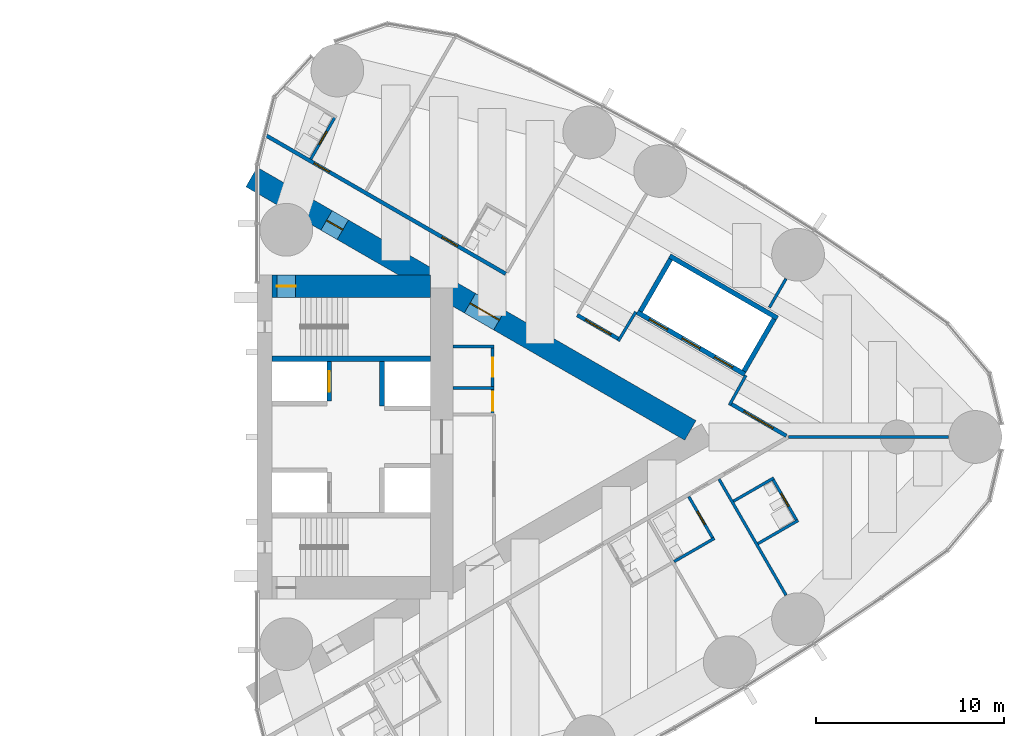
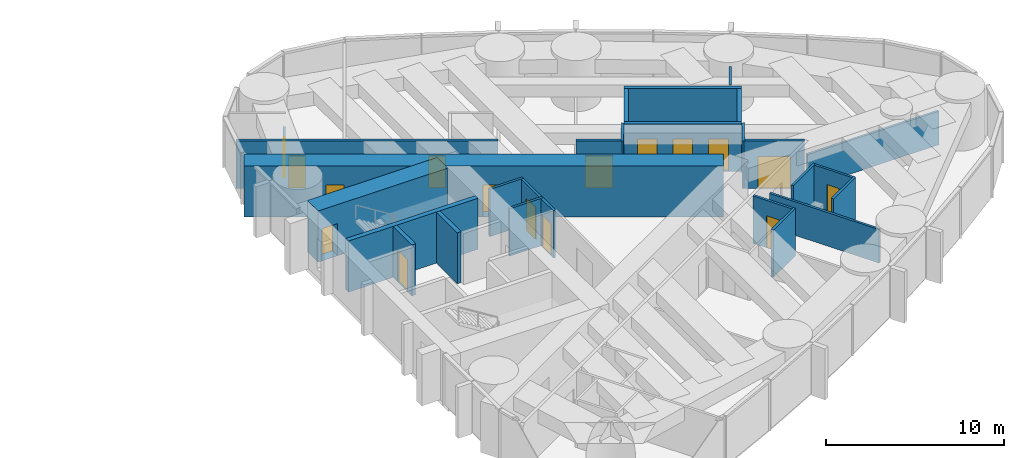
# One storey, part 15 of 19: 27 walls, 16 doors, 16 openings.
"""IFC4 building model written with IfcOpenShell, lengths in metres."""

from ifc_helpers import new_model, si_unit, direction, frame, frame_2d, origin, place, context, subcontext, project, spatial, rectangle, extrude, material, layer, layer_set, type_object, element, fill, save


model = new_model("IFC4")

# Units and contexts
model_context = context("Model", 3, precision=1e-05, world=origin(), true_north=direction((0.0, 1.0)))
body_context = subcontext(model_context, "Body", "Model", "MODEL_VIEW")
ifc_project = project(units=[si_unit("LENGTHUNIT", "METRE"), si_unit("AREAUNIT", "SQUARE_METRE"), si_unit("VOLUMEUNIT", "CUBIC_METRE"), si_unit("PLANEANGLEUNIT", "RADIAN"), si_unit("MASSUNIT", "GRAM", prefix="KILO")], contexts=[model_context])

# Site, building, storey
site_placement = place(None, origin())
site = spatial("IfcSite", under=ifc_project, at=site_placement, CompositionType="ELEMENT")
building_placement = place(site_placement, origin())
building = spatial("IfcBuilding", under=site, at=building_placement, Name="Lancet Gate Hotel", CompositionType="ELEMENT")
storey_placement = place(building_placement, frame((0.0, 0.0, 170.300048828125)))
storey = spatial("IfcBuildingStorey", under=building, at=storey_placement, Name="L45", CompositionType="ELEMENT", Elevation=170.300048828125)

# Wall
ifc_material_1 = material(Name="Moisture resistant board partition")
ifc_layer_1 = layer(ifc_material_1, 0.14990234375)
ifc_layer_set_1 = layer_set([ifc_layer_1], Name="Bathroom wall 150")
wall_type_1 = type_object("IfcWallType", Name="Bathroom wall 150", PredefinedType="PARTITIONING", material=ifc_layer_set_1)
wall_1_placement = place(storey_placement, frame((49.6396484375, -6.617919921875, 0.0), z_axis=(0.0, 0.0, 1.0), x_axis=(0.866006523861, 0.500032699561, 0.0)))
element("IfcWall", 1, at=wall_1_placement, inside=storey, type_object=wall_type_1, Name="T2 bathroom wall 150 L45", PredefinedType="PARTITIONING", context=body_context, shape_type="SweptSolid", body=[
    extrude(rectangle(XDim=2.474853515625, YDim=0.14990234375, at=frame_2d((1.2373046875, 0.0))), origin(), (0.0, 0.0, 1.0), 3.25),
])

# Wall, opening, door
wall_2_placement = place(storey_placement, frame((50.418212890625, -3.166259765625, 0.0), z_axis=(0.0, 0.0, 1.0), x_axis=(0.499936506574, -0.866062058628, 0.0)))
wall_2 = element("IfcWall", 2, at=wall_2_placement, inside=storey, type_object=wall_type_1, Name="T2 bathroom wall 150 L45", PredefinedType="PARTITIONING", context=body_context, shape_type="SweptSolid", body=[
    extrude(rectangle(XDim=2.599853515625, YDim=0.14990234375, at=frame_2d((1.2998046875, 0.0))), origin(), (0.0, 0.0, 1.0), 3.25),
])
opening_1_placement = place(wall_2_placement, frame((0.89990234375, 0.0, 0.0)))
opening_1 = element("IfcOpeningElement", 3, at=opening_1_placement, cuts=wall_2, Name="Opening 4556-B", PredefinedType="OPENING", context=body_context, shape_type="SweptSolid", body=[
    extrude(rectangle(XDim=0.800048828125, YDim=2.199951171875, at=frame_2d((0.39990234375, 1.10009765625))), frame((0.0, 0.0849609375, 0.0), z_axis=(0.0, -1.0, 0.0), x_axis=(1.0, 0.0, 0.0)), (0.0, 0.0, 1.0), 0.169921875),
])
ifc_material_2 = material(Name="Timber door set", Category="wood")
door_type_1 = type_object("IfcDoorType", Name="Bathroom door 800", OperationType="SINGLE_SWING_RIGHT", PredefinedType="DOOR", material=ifc_material_2)
door_1_placement = place(opening_1_placement, origin())
door_1 = element("IfcDoor", 4, at=door_1_placement, inside=storey, type_object=door_type_1, Name="4556-B", OperationType="SINGLE_SWING_RIGHT", OverallHeight=2.199951171875, OverallWidth=0.800048828125, PredefinedType="DOOR", context=body_context, shape_type="SweptSolid", body=[
    extrude(rectangle(XDim=0.800048828125, YDim=2.199951171875, at=frame_2d((0.39990234375, 1.10009765625))), frame((0.0, 0.02490234375, 0.0), z_axis=(0.0, -1.0, 0.0), x_axis=(1.0, 0.0, 0.0)), (0.0, 0.0, 1.0), 0.050048828125),
])
fill(opening_1, door_1)

# Wall
wall_3_placement = place(storey_placement, frame((54.09033203125, -5.6650390625, 0.0), z_axis=(0.0, 0.0, 1.0), x_axis=(0.866006523861, 0.500032699561, 0.0)))
element("IfcWall", 5, at=wall_3_placement, inside=storey, type_object=wall_type_1, Name="T2 bathroom wall 150 L45", PredefinedType="PARTITIONING", context=body_context, shape_type="SweptSolid", body=[
    extrude(rectangle(XDim=2.474853515625, YDim=0.14990234375, at=frame_2d((1.2373046875, 0.0))), origin(), (0.0, 0.0, 1.0), 3.25),
])

# Wall, opening, door
wall_4_placement = place(storey_placement, frame((54.86865234375, -2.21337890625, 0.0), z_axis=(0.0, 0.0, 1.0), x_axis=(0.500047596559, -0.865997922154, 0.0)))
wall_4 = element("IfcWall", 6, at=wall_4_placement, inside=storey, type_object=wall_type_1, Name="T2 bathroom wall 150 L45", PredefinedType="PARTITIONING", context=body_context, shape_type="SweptSolid", body=[
    extrude(rectangle(XDim=2.599853515625, YDim=0.14990234375, at=frame_2d((1.2998046875, 0.0))), origin(), (0.0, 0.0, 1.0), 3.25),
])
opening_2_placement = place(wall_4_placement, frame((0.89990234375, 0.0, 0.0)))
opening_2 = element("IfcOpeningElement", 7, at=opening_2_placement, cuts=wall_4, Name="Opening 4557-B", PredefinedType="OPENING", context=body_context, shape_type="SweptSolid", body=[
    extrude(rectangle(XDim=0.800048828125, YDim=2.199951171875, at=frame_2d((0.39990234375, 1.10009765625))), frame((0.0, 0.0849609375, 0.0), z_axis=(0.0, -1.0, 0.0), x_axis=(1.0, 0.0, 0.0)), (0.0, 0.0, 1.0), 0.169921875),
])
door_2_placement = place(opening_2_placement, origin())
door_2 = element("IfcDoor", 8, at=door_2_placement, inside=storey, type_object=door_type_1, Name="4557-B", OperationType="SINGLE_SWING_RIGHT", OverallHeight=2.199951171875, OverallWidth=0.800048828125, PredefinedType="DOOR", context=body_context, shape_type="SweptSolid", body=[
    extrude(rectangle(XDim=0.800048828125, YDim=2.199951171875, at=frame_2d((0.39990234375, 1.10009765625))), frame((0.0, 0.02490234375, 0.0), z_axis=(0.0, -1.0, 0.0), x_axis=(1.0, 0.0, 0.0)), (0.0, 0.0, 1.0), 0.050048828125),
])
fill(opening_2, door_2)

# Wall
wall_5_placement = place(storey_placement, frame((52.790283203125, -3.413330078125, 0.0), z_axis=(0.0, 0.0, 1.0), x_axis=(0.866006523861, 0.500032699561, 0.0)))
element("IfcWall", 9, at=wall_5_placement, inside=storey, type_object=wall_type_1, Name="T2 bathroom wall 150 L45", PredefinedType="PARTITIONING", context=body_context, shape_type="SweptSolid", body=[
    extrude(rectangle(XDim=2.474853515625, YDim=0.14990234375, at=frame_2d((1.2373046875, 0.0))), origin(), (0.0, 0.0, 1.0), 3.25),
])

# Wall, opening, door
wall_6_placement = place(storey_placement, frame((30.34765625, 14.75390625, 0.0), z_axis=(0.0, 0.0, 1.0), x_axis=(0.500006934395, 0.866021400173, 0.0)))
wall_6 = element("IfcWall", 10, at=wall_6_placement, inside=storey, type_object=wall_type_1, Name="T2 bathroom wall 150 L45", PredefinedType="PARTITIONING", context=body_context, shape_type="SweptSolid", body=[
    extrude(rectangle(XDim=2.60009765625, YDim=0.14990234375, at=frame_2d((1.300048828125, 0.0))), origin(), (0.0, 0.0, 1.0), 2.300048828125),
])
opening_3_placement = place(wall_6_placement, frame((0.89990234375, 0.0, 0.0)))
opening_3 = element("IfcOpeningElement", 11, at=opening_3_placement, cuts=wall_6, Name="Opening 4564-B", PredefinedType="OPENING", context=body_context, shape_type="SweptSolid", body=[
    extrude(rectangle(XDim=0.800048828125, YDim=2.199951171875, at=frame_2d((0.39990234375, 1.10009765625))), frame((0.0, 0.0849609375, 0.0), z_axis=(0.0, -1.0, 0.0), x_axis=(1.0, 0.0, 0.0)), (0.0, 0.0, 1.0), 0.169921875),
])
door_3_placement = place(opening_3_placement, origin())
door_3 = element("IfcDoor", 12, at=door_3_placement, inside=storey, type_object=door_type_1, Name="4564-B", OperationType="SINGLE_SWING_RIGHT", OverallHeight=2.199951171875, OverallWidth=0.800048828125, PredefinedType="DOOR", context=body_context, shape_type="SweptSolid", body=[
    extrude(rectangle(XDim=0.800048828125, YDim=2.199951171875, at=frame_2d((0.39990234375, 1.10009765625))), frame((0.0, 0.02490234375, 0.0), z_axis=(0.0, -1.0, 0.0), x_axis=(1.0, 0.0, 0.0)), (0.0, 0.0, 1.0), 0.050048828125),
])
fill(opening_3, door_3)

# Wall, openings, doors
ifc_material_3 = material(Name="Concrete C70/85", Category="concrete")
ifc_layer_2 = layer(ifc_material_3, 1.199951171875)
ifc_layer_set_2 = layer_set([ifc_layer_2], Name="Buttress wall 1200")
wall_type_2 = type_object("IfcWallType", Name="Buttress wall 1200", PredefinedType="SHEAR", material=ifc_layer_set_2)
wall_7_placement = place(storey_placement, frame((27.199951171875, 13.800048828125, 0.0), z_axis=(0.0, 0.0, 1.0), x_axis=(0.866024515034, -0.500001539357, 0.0)))
wall_7 = element("IfcWall", 13, at=wall_7_placement, inside=storey, type_object=wall_type_2, Name="T2 buttress wall N L45", PredefinedType="SHEAR", context=body_context, shape_type="SweptSolid", body=[
    extrude(rectangle(XDim=26.9072265625, YDim=1.199951171875, at=frame_2d((13.45361328125, 0.0))), origin(), (0.0, 0.0, 1.0), 3.5),
])
opening_4_placement = place(wall_7_placement, frame((4.60009765625, 0.0, 0.0)))
opening_4 = element("IfcOpeningElement", 14, at=opening_4_placement, cuts=wall_7, Name="Opening T2-L45-LN", PredefinedType="OPENING", context=body_context, shape_type="SweptSolid", body=[
    extrude(rectangle(XDim=1.0, YDim=2.199951171875, at=frame_2d((0.5, 1.10009765625))), frame((0.0, 0.60986328125, 0.0), z_axis=(0.0, -1.0, 0.0), x_axis=(1.0, 0.0, 0.0)), (0.0, 0.0, 1.0), 1.219970703125),
])
opening_5_placement = place(wall_7_placement, frame((13.39453125, 0.0, 0.0)))
opening_5 = element("IfcOpeningElement", 15, at=opening_5_placement, cuts=wall_7, Name="Opening T2-L45-LHN", PredefinedType="OPENING", context=body_context, shape_type="SweptSolid", body=[
    extrude(rectangle(XDim=1.800048828125, YDim=2.199951171875, at=frame_2d((0.89990234375, 1.10009765625))), frame((0.0, 0.60986328125, 0.0), z_axis=(0.0, -1.0, 0.0), x_axis=(1.0, 0.0, 0.0)), (0.0, 0.0, 1.0), 1.219970703125),
])
ifc_material_4 = material(Name="Timber door set", Category="wood")
door_type_2 = type_object("IfcDoorType", Name="Lobby double door 1800", OperationType="DOUBLE_DOOR_SINGLE_SWING", PredefinedType="DOOR", material=ifc_material_4)
door_4_placement = place(opening_5_placement, origin())
door_4 = element("IfcDoor", 16, at=door_4_placement, inside=storey, type_object=door_type_2, Name="T2-L45-LHN", OperationType="DOUBLE_DOOR_SINGLE_SWING", OverallHeight=2.199951171875, OverallWidth=1.800048828125, PredefinedType="DOOR", context=body_context, shape_type="SweptSolid", body=[
    extrude(rectangle(XDim=1.800048828125, YDim=2.199951171875, at=frame_2d((0.89990234375, 1.10009765625))), frame((0.0, 0.02490234375, 0.0), z_axis=(0.0, -1.0, 0.0), x_axis=(1.0, 0.0, 0.0)), (0.0, 0.0, 1.0), 0.050048828125),
])
fill(opening_5, door_4)
ifc_material_5 = material(Name="Timber door set", Category="wood")
door_type_3 = type_object("IfcDoorType", Name="Stair lobby door 1000", OperationType="SINGLE_SWING_LEFT", PredefinedType="DOOR", material=ifc_material_5)
door_5_placement = place(opening_4_placement, origin())
door_5 = element("IfcDoor", 17, at=door_5_placement, inside=storey, type_object=door_type_3, Name="T2-L45-LN", OperationType="SINGLE_SWING_LEFT", OverallHeight=2.199951171875, OverallWidth=1.0, PredefinedType="DOOR", context=body_context, shape_type="SweptSolid", body=[
    extrude(rectangle(XDim=1.0, YDim=2.199951171875, at=frame_2d((0.5, 1.10009765625))), frame((0.0, 0.02490234375, 0.0), z_axis=(0.0, -1.0, 0.0), x_axis=(1.0, 0.0, 0.0)), (0.0, 0.0, 1.0), 0.050048828125),
])
fill(opening_4, door_5)

# Wall, opening, door
ifc_material_6 = material(Name="Concrete C70/85", Category="concrete")
ifc_layer_3 = layer(ifc_material_6, 1.199951171875)
ifc_layer_set_3 = layer_set([ifc_layer_3], Name="Core wall 1200")
wall_type_3 = type_object("IfcWallType", Name="Core wall 1200", PredefinedType="SHEAR", material=ifc_layer_set_3)
wall_8_placement = place(storey_placement, frame((28.300048828125, 8.0, 0.0), z_axis=(0.0, 0.0, 1.0), x_axis=(1.0, 0.0, 0.0)))
wall_8 = element("IfcWall", 18, at=wall_8_placement, inside=storey, type_object=wall_type_3, Name="T2 core wall side-N L45", PredefinedType="SHEAR", context=body_context, shape_type="SweptSolid", body=[
    extrude(rectangle(XDim=8.39990234375, YDim=1.199951171875, at=frame_2d((4.199951171875, 0.0))), origin(), (0.0, 0.0, 1.0), 3.5),
])
opening_6_placement = place(wall_8_placement, frame((0.25, 0.0, 0.0)))
opening_6 = element("IfcOpeningElement", 19, at=opening_6_placement, cuts=wall_8, Name="Opening T2-L45-ST2", PredefinedType="OPENING", context=body_context, shape_type="SweptSolid", body=[
    extrude(rectangle(XDim=1.0, YDim=2.199951171875, at=frame_2d((0.5, 1.10009765625))), frame((0.0, 0.60986328125, 0.0), z_axis=(0.0, -1.0, 0.0), x_axis=(1.0, 0.0, 0.0)), (0.0, 0.0, 1.0), 1.219970703125),
])
ifc_material_7 = material(Name="Timber door set", Category="wood")
door_type_4 = type_object("IfcDoorType", Name="Stair door 1000", OperationType="SINGLE_SWING_RIGHT", PredefinedType="DOOR", material=ifc_material_7)
door_6_placement = place(opening_6_placement, origin())
door_6 = element("IfcDoor", 20, at=door_6_placement, inside=storey, type_object=door_type_4, Name="T2-L45-ST2", OperationType="SINGLE_SWING_RIGHT", OverallHeight=2.199951171875, OverallWidth=1.0, PredefinedType="DOOR", context=body_context, shape_type="SweptSolid", body=[
    extrude(rectangle(XDim=1.0, YDim=2.199951171875, at=frame_2d((0.5, 1.10009765625))), frame((0.0, 0.02490234375, 0.0), z_axis=(0.0, -1.0, 0.0), x_axis=(1.0, 0.0, 0.0)), (0.0, 0.0, 1.0), 0.050048828125),
])
fill(opening_6, door_6)

ifc_material_8 = material(Name="Gypsum board partition")
ifc_layer_4 = layer(ifc_material_8, 0.199951171875)
ifc_layer_set_4 = layer_set([ifc_layer_4], Name="Corridor wall 200")
wall_type_4 = type_object("IfcWallType", Name="Corridor wall 200", PredefinedType="PARTITIONING", material=ifc_layer_set_4)
wall_9_placement = place(storey_placement, frame((52.63916015625, 1.7685546875, 0.0), z_axis=(0.0, 0.0, 1.0), x_axis=(0.866027340901, -0.4999966448, 0.0)))
wall_9 = element("IfcWall", 21, at=wall_9_placement, inside=storey, type_object=wall_type_4, Name="T2 corridor wall 200 L45", PredefinedType="PARTITIONING", context=body_context, shape_type="SweptSolid", body=[
    extrude(rectangle(XDim=3.4169921875, YDim=0.199951171875, at=frame_2d((1.70849609375, 0.0))), origin(), (0.0, 0.0, 1.0), 3.25),
])
opening_7_placement = place(wall_9_placement, frame((0.80859375, 0.0, 0.0)))
opening_7 = element("IfcOpeningElement", 22, at=opening_7_placement, cuts=wall_9, Name="Opening T2-L45-LO1", PredefinedType="OPENING", context=body_context, shape_type="SweptSolid", body=[
    extrude(rectangle(XDim=1.800048828125, YDim=2.199951171875, at=frame_2d((0.89990234375, 1.10009765625))), frame((0.0, 0.10986328125, 0.0), z_axis=(0.0, -1.0, 0.0), x_axis=(1.0, 0.0, 0.0)), (0.0, 0.0, 1.0), 0.219970703125),
])
ifc_material_9 = material(Name="Timber door set", Category="wood")
door_type_5 = type_object("IfcDoorType", Name="Double door 1800", OperationType="DOUBLE_DOOR_SINGLE_SWING", PredefinedType="DOOR", material=ifc_material_9)
door_7_placement = place(opening_7_placement, origin())
door_7 = element("IfcDoor", 23, at=door_7_placement, inside=storey, type_object=door_type_5, Name="T2-L45-LO1", OperationType="DOUBLE_DOOR_SINGLE_SWING", OverallHeight=2.199951171875, OverallWidth=1.800048828125, PredefinedType="DOOR", context=body_context, shape_type="SweptSolid", body=[
    extrude(rectangle(XDim=1.800048828125, YDim=2.199951171875, at=frame_2d((0.89990234375, 1.10009765625))), frame((0.0, 0.02490234375, 0.0), z_axis=(0.0, -1.0, 0.0), x_axis=(1.0, 0.0, 0.0)), (0.0, 0.0, 1.0), 0.050048828125),
])
fill(opening_7, door_7)

# Wall, openings, doors
wall_10_placement = place(storey_placement, frame((27.95947265625, 16.017333984375, 0.0), z_axis=(0.0, 0.0, 1.0), x_axis=(0.866024165033, -0.500002145574, 0.0)))
wall_10 = element("IfcWall", 24, at=wall_10_placement, inside=storey, type_object=wall_type_4, Name="T2 corridor wall 200 L45", PredefinedType="PARTITIONING", context=body_context, shape_type="SweptSolid", body=[
    extrude(rectangle(XDim=14.708984375, YDim=0.199951171875, at=frame_2d((7.3544921875, 0.0))), origin(), (0.0, 0.0, 1.0), 3.25),
])
opening_8_placement = place(wall_10_placement, frame((10.808837890625, 0.0, 0.0)))
opening_8 = element("IfcOpeningElement", 25, at=opening_8_placement, cuts=wall_10, Name="Opening 4562-E", PredefinedType="OPENING", context=body_context, shape_type="SweptSolid", body=[
    extrude(rectangle(XDim=0.949951171875, YDim=2.199951171875, at=frame_2d((0.47509765625, 1.10009765625))), frame((0.0, 0.10986328125, 0.0), z_axis=(0.0, -1.0, 0.0), x_axis=(1.0, 0.0, 0.0)), (0.0, 0.0, 1.0), 0.219970703125),
])
opening_9_placement = place(wall_10_placement, frame((2.949951171875, 0.0, 0.0)))
opening_9 = element("IfcOpeningElement", 26, at=opening_9_placement, cuts=wall_10, Name="Opening 4564-E", PredefinedType="OPENING", context=body_context, shape_type="SweptSolid", body=[
    extrude(rectangle(XDim=0.949951171875, YDim=2.199951171875, at=frame_2d((0.47509765625, 1.10009765625))), frame((0.0, 0.10986328125, 0.0), z_axis=(0.0, -1.0, 0.0), x_axis=(1.0, 0.0, 0.0)), (0.0, 0.0, 1.0), 0.219970703125),
])
ifc_material_10 = material(Name="Timber door set", Category="wood")
door_type_6 = type_object("IfcDoorType", Name="Guest room entry door 950", OperationType="SINGLE_SWING_LEFT", PredefinedType="DOOR", material=ifc_material_10)
door_8_placement = place(opening_8_placement, origin())
door_8 = element("IfcDoor", 27, at=door_8_placement, inside=storey, type_object=door_type_6, Name="4562-E", OperationType="SINGLE_SWING_LEFT", OverallHeight=2.199951171875, OverallWidth=0.949951171875, PredefinedType="DOOR", context=body_context, shape_type="SweptSolid", body=[
    extrude(rectangle(XDim=0.949951171875, YDim=2.199951171875, at=frame_2d((0.47509765625, 1.10009765625))), frame((0.0, 0.02490234375, 0.0), z_axis=(0.0, -1.0, 0.0), x_axis=(1.0, 0.0, 0.0)), (0.0, 0.0, 1.0), 0.050048828125),
])
fill(opening_8, door_8)
door_9_placement = place(opening_9_placement, origin())
door_9 = element("IfcDoor", 28, at=door_9_placement, inside=storey, type_object=door_type_6, Name="4564-E", OperationType="SINGLE_SWING_LEFT", OverallHeight=2.199951171875, OverallWidth=0.949951171875, PredefinedType="DOOR", context=body_context, shape_type="SweptSolid", body=[
    extrude(rectangle(XDim=0.949951171875, YDim=2.199951171875, at=frame_2d((0.47509765625, 1.10009765625))), frame((0.0, 0.02490234375, 0.0), z_axis=(0.0, -1.0, 0.0), x_axis=(1.0, 0.0, 0.0)), (0.0, 0.0, 1.0), 0.050048828125),
])
fill(opening_9, door_9)

# Wall, opening, door
wall_11_placement = place(storey_placement, frame((44.4931640625, 6.4716796875, 0.0), z_axis=(0.0, 0.0, 1.0), x_axis=(0.866027140358, -0.499996992154, 0.0)))
wall_11 = element("IfcWall", 29, at=wall_11_placement, inside=storey, type_object=wall_type_4, Name="T2 corridor wall 200 L45", PredefinedType="PARTITIONING", context=body_context, shape_type="SweptSolid", body=[
    extrude(rectangle(XDim=2.56591796875, YDim=0.199951171875, at=frame_2d((1.282958984375, 0.0))), origin(), (0.0, 0.0, 1.0), 3.25),
])
opening_10_placement = place(wall_11_placement, frame((0.5, 0.0, 0.0)))
opening_10 = element("IfcOpeningElement", 30, at=opening_10_placement, cuts=wall_11, Name="Opening T2-L45-LO2", PredefinedType="OPENING", context=body_context, shape_type="SweptSolid", body=[
    extrude(rectangle(XDim=1.56591796875, YDim=2.199951171875, at=frame_2d((0.782958984375, 1.10009765625))), frame((0.0, 0.10986328125, 0.0), z_axis=(0.0, -1.0, 0.0), x_axis=(1.0, 0.0, 0.0)), (0.0, 0.0, 1.0), 0.219970703125),
])
door_10_placement = place(opening_10_placement, origin())
door_10 = element("IfcDoor", 31, at=door_10_placement, inside=storey, type_object=door_type_6, Name="T2-L45-LO2", OperationType="SINGLE_SWING_LEFT", OverallHeight=2.199951171875, OverallWidth=1.56591796875, PredefinedType="DOOR", context=body_context, shape_type="SweptSolid", body=[
    extrude(rectangle(XDim=1.56591796875, YDim=2.199951171875, at=frame_2d((0.782958984375, 1.10009765625))), frame((0.0, 0.02490234375, 0.0), z_axis=(0.0, -1.0, 0.0), x_axis=(1.0, 0.0, 0.0)), (0.0, 0.0, 1.0), 0.050048828125),
])
fill(opening_10, door_10)

# Wall, openings, doors
ifc_material_11 = material(Name="Gypsum board partition")
ifc_layer_5 = layer(ifc_material_11, 0.25)
ifc_layer_set_5 = layer_set([ifc_layer_5], Name="Lift shaft partition 250")
wall_type_5 = type_object("IfcWallType", Name="Lift shaft partition 250", PredefinedType="PARTITIONING", material=ifc_layer_set_5)
wall_12_placement = place(storey_placement, frame((47.681396484375, 6.622314453125, 0.0), z_axis=(0.0, 0.0, 1.0), x_axis=(0.86603344179, -0.499986077507, 0.0)))
wall_12 = element("IfcWall", 32, at=wall_12_placement, inside=storey, type_object=wall_type_5, Name="T2 lift shaft wall HL L45", PredefinedType="PARTITIONING", context=body_context, shape_type="SweptSolid", body=[
    extrude(rectangle(XDim=6.600341796875, YDim=0.25, at=frame_2d((3.30029296875, 0.0))), origin(), (0.0, 0.0, 1.0), 3.25),
])
opening_11_placement = place(wall_12_placement, frame((0.75, 0.0, 0.0)))
opening_11 = element("IfcOpeningElement", 33, at=opening_11_placement, cuts=wall_12, Name="Opening T2-HL1-L45", PredefinedType="OPENING", context=body_context, shape_type="SweptSolid", body=[
    extrude(rectangle(XDim=1.10009765625, YDim=2.199951171875, at=frame_2d((0.550048828125, 1.10009765625))), frame((0.0, 0.135009765625, 0.0), z_axis=(0.0, -1.0, 0.0), x_axis=(1.0, 0.0, 0.0)), (0.0, 0.0, 1.0), 0.27001953125),
])
opening_12_placement = place(wall_12_placement, frame((2.75, 0.0, 0.0)))
opening_12 = element("IfcOpeningElement", 34, at=opening_12_placement, cuts=wall_12, Name="Opening T2-HL2-L45", PredefinedType="OPENING", context=body_context, shape_type="SweptSolid", body=[
    extrude(rectangle(XDim=1.10009765625, YDim=2.199951171875, at=frame_2d((0.550048828125, 1.10009765625))), frame((0.0, 0.135009765625, 0.0), z_axis=(0.0, -1.0, 0.0), x_axis=(1.0, 0.0, 0.0)), (0.0, 0.0, 1.0), 0.27001953125),
])
opening_13_placement = place(wall_12_placement, frame((4.75, 0.0, 0.0)))
opening_13 = element("IfcOpeningElement", 35, at=opening_13_placement, cuts=wall_12, Name="Opening T2-HL3-L45", PredefinedType="OPENING", context=body_context, shape_type="SweptSolid", body=[
    extrude(rectangle(XDim=1.10009765625, YDim=2.199951171875, at=frame_2d((0.550048828125, 1.10009765625))), frame((0.0, 0.135009765625, 0.0), z_axis=(0.0, -1.0, 0.0), x_axis=(1.0, 0.0, 0.0)), (0.0, 0.0, 1.0), 0.27001953125),
])
ifc_material_12 = material(Name="Steel door set", Category="steel")
door_type_7 = type_object("IfcDoorType", Name="Lift landing door 1100", OperationType="DOUBLE_DOOR_SLIDING", PredefinedType="USERDEFINED", material=ifc_material_12)
door_11_placement = place(opening_11_placement, origin())
door_11 = element("IfcDoor", 36, at=door_11_placement, inside=storey, type_object=door_type_7, Name="T2-HL1-L45", ObjectType="LIFT LANDING DOOR", OperationType="DOUBLE_DOOR_SLIDING", OverallHeight=2.199951171875, OverallWidth=1.10009765625, PredefinedType="USERDEFINED", context=body_context, shape_type="SweptSolid", body=[
    extrude(rectangle(XDim=1.10009765625, YDim=2.199951171875, at=frame_2d((0.550048828125, 1.10009765625))), frame((0.0, 0.02490234375, 0.0), z_axis=(0.0, -1.0, 0.0), x_axis=(1.0, 0.0, 0.0)), (0.0, 0.0, 1.0), 0.050048828125),
])
fill(opening_11, door_11)
door_12_placement = place(opening_12_placement, origin())
door_12 = element("IfcDoor", 37, at=door_12_placement, inside=storey, type_object=door_type_7, Name="T2-HL2-L45", ObjectType="LIFT LANDING DOOR", OperationType="DOUBLE_DOOR_SLIDING", OverallHeight=2.199951171875, OverallWidth=1.10009765625, PredefinedType="USERDEFINED", context=body_context, shape_type="SweptSolid", body=[
    extrude(rectangle(XDim=1.10009765625, YDim=2.199951171875, at=frame_2d((0.550048828125, 1.10009765625))), frame((0.0, 0.02490234375, 0.0), z_axis=(0.0, -1.0, 0.0), x_axis=(1.0, 0.0, 0.0)), (0.0, 0.0, 1.0), 0.050048828125),
])
fill(opening_12, door_12)
door_13_placement = place(opening_13_placement, origin())
door_13 = element("IfcDoor", 38, at=door_13_placement, inside=storey, type_object=door_type_7, Name="T2-HL3-L45", ObjectType="LIFT LANDING DOOR", OperationType="DOUBLE_DOOR_SLIDING", OverallHeight=2.199951171875, OverallWidth=1.10009765625, PredefinedType="USERDEFINED", context=body_context, shape_type="SweptSolid", body=[
    extrude(rectangle(XDim=1.10009765625, YDim=2.199951171875, at=frame_2d((0.550048828125, 1.10009765625))), frame((0.0, 0.02490234375, 0.0), z_axis=(0.0, -1.0, 0.0), x_axis=(1.0, 0.0, 0.0)), (0.0, 0.0, 1.0), 0.050048828125),
])
fill(opening_13, door_13)

# Walls
wall_13_placement = place(storey_placement, frame((49.406494140625, 9.61083984375, 0.0), z_axis=(0.0, 0.0, 1.0), x_axis=(0.86603344179, -0.499986077507, 0.0)))
element("IfcWall", 39, at=wall_13_placement, inside=storey, type_object=wall_type_5, Name="T2 lift shaft wall HL L45", PredefinedType="PARTITIONING", context=body_context, shape_type="SweptSolid", body=[
    extrude(rectangle(XDim=6.600341796875, YDim=0.25, at=frame_2d((3.30029296875, 0.0))), origin(), (0.0, 0.0, 1.0), 3.25),
])
wall_14_placement = place(storey_placement, frame((47.852294921875, 6.66796875, 0.0), z_axis=(0.0, 0.0, 1.0), x_axis=(0.499929347863, 0.866066190972, 0.0)))
element("IfcWall", 40, at=wall_14_placement, inside=storey, type_object=wall_type_5, Name="T2 lift shaft wall HL L45", PredefinedType="PARTITIONING", context=body_context, shape_type="SweptSolid", body=[
    extrude(rectangle(XDim=3.20068359375, YDim=0.25, at=frame_2d((1.600341796875, 0.0))), origin(), (0.0, 0.0, 1.0), 3.25),
])
wall_15_placement = place(storey_placement, frame((53.351806640625, 3.492919921875, 0.0), z_axis=(0.0, 0.0, 1.0), x_axis=(0.499872130319, 0.866099216793, 0.0)))
element("IfcWall", 41, at=wall_15_placement, inside=storey, type_object=wall_type_5, Name="T2 lift shaft wall HL L45", PredefinedType="PARTITIONING", context=body_context, shape_type="SweptSolid", body=[
    extrude(rectangle(XDim=3.200439453125, YDim=0.25, at=frame_2d((1.60009765625, 0.0))), origin(), (0.0, 0.0, 1.0), 3.25),
])

# Wall, opening, door
ifc_material_13 = material(Name="Concrete C50/60", Category="concrete")
ifc_layer_6 = layer(ifc_material_13, 0.25)
ifc_layer_set_6 = layer_set([ifc_layer_6], Name="Lift shaft wall 250")
wall_type_6 = type_object("IfcWallType", Name="Lift shaft wall 250", PredefinedType="SHEAR", material=ifc_layer_set_6)
wall_16_placement = place(storey_placement, frame((31.324951171875, 1.89990234375, 0.0), z_axis=(0.0, 0.0, 1.0), x_axis=(0.0, 1.0, 0.0)))
wall_16 = element("IfcWall", 42, at=wall_16_placement, inside=storey, type_object=wall_type_6, Name="T2 core wall row1-N L45", PredefinedType="SHEAR", context=body_context, shape_type="SweptSolid", body=[
    extrude(rectangle(XDim=2.10009765625, YDim=0.25, at=frame_2d((1.050048828125, 0.0))), origin(), (0.0, 0.0, 1.0), 3.5),
])
opening_14_placement = place(wall_16_placement, frame((0.5, 0.0, 0.0)))
opening_14 = element("IfcOpeningElement", 43, at=opening_14_placement, cuts=wall_16, Name="Opening T2-FL2-L45", PredefinedType="OPENING", context=body_context, shape_type="SweptSolid", body=[
    extrude(rectangle(XDim=1.10009765625, YDim=2.199951171875, at=frame_2d((0.550048828125, 1.10009765625))), frame((0.0, 0.135009765625, 0.0), z_axis=(0.0, -1.0, 0.0), x_axis=(1.0, 0.0, 0.0)), (0.0, 0.0, 1.0), 0.27001953125),
])
ifc_material_14 = material(Name="Steel door set", Category="steel")
door_type_8 = type_object("IfcDoorType", Name="Firefighting lift landing door 1100", OperationType="SLIDING_TO_LEFT", PredefinedType="USERDEFINED", material=ifc_material_14)
door_14_placement = place(opening_14_placement, origin())
door_14 = element("IfcDoor", 44, at=door_14_placement, inside=storey, type_object=door_type_8, Name="T2-FL2-L45", ObjectType="LIFT LANDING DOOR", OperationType="SLIDING_TO_LEFT", OverallHeight=2.199951171875, OverallWidth=1.10009765625, PredefinedType="USERDEFINED", context=body_context, shape_type="SweptSolid", body=[
    extrude(rectangle(XDim=1.10009765625, YDim=2.199951171875, at=frame_2d((0.550048828125, 1.10009765625))), frame((0.0, 0.02490234375, 0.0), z_axis=(0.0, -1.0, 0.0), x_axis=(1.0, 0.0, 0.0)), (0.0, 0.0, 1.0), 0.050048828125),
])
fill(opening_14, door_14)

# Walls
wall_17_placement = place(storey_placement, frame((34.125, 1.64990234375, 0.0), z_axis=(0.0, 0.0, 1.0), x_axis=(0.0, 1.0, 0.0)))
element("IfcWall", 45, at=wall_17_placement, inside=storey, type_object=wall_type_6, Name="T2 core wall row2-N L45", PredefinedType="SHEAR", context=body_context, shape_type="SweptSolid", body=[
    extrude(rectangle(XDim=2.35009765625, YDim=0.25, at=frame_2d((1.175048828125, 0.0))), origin(), (0.0, 0.0, 1.0), 3.5),
])
ifc_material_15 = material(Name="Gypsum board partition")
ifc_layer_7 = layer(ifc_material_15, 0.14990234375)
ifc_layer_set_7 = layer_set([ifc_layer_7], Name="Party wall 150")
wall_type_7 = type_object("IfcWallType", Name="Party wall 150", PredefinedType="PARTITIONING", material=ifc_layer_set_7)
wall_18_placement = place(storey_placement, frame((52.025390625, -2.23828125, 0.0), z_axis=(0.0, 0.0, 1.0), x_axis=(0.499983785035, -0.866034765296, 0.0)))
element("IfcWall", 46, at=wall_18_placement, inside=storey, type_object=wall_type_7, Name="T2 party wall 150 L45", PredefinedType="PARTITIONING", context=body_context, shape_type="SweptSolid", body=[
    extrude(rectangle(XDim=7.116455078125, YDim=0.14990234375, at=frame_2d((3.55810546875, 0.0))), origin(), (0.0, 0.0, 1.0), 2.300048828125),
])
wall_19_placement = place(storey_placement, frame((55.7021484375, 0.0, 0.0), z_axis=(0.0, 0.0, 1.0), x_axis=(1.0, 0.0, 0.0)))
element("IfcWall", 47, at=wall_19_placement, inside=storey, type_object=wall_type_7, Name="T2 party wall 150 L45", PredefinedType="PARTITIONING", context=body_context, shape_type="SweptSolid", body=[
    extrude(rectangle(XDim=8.517578125, YDim=0.14990234375, at=frame_2d((4.2587890625, 0.0))), origin(), (0.0, 0.0, 1.0), 2.300048828125),
])
wall_20_placement = place(storey_placement, frame((54.700439453125, 6.871826171875, 0.0), z_axis=(0.0, 0.0, 1.0), x_axis=(0.499989690894, 0.866031355668, 0.0)))
element("IfcWall", 48, at=wall_20_placement, inside=storey, type_object=wall_type_7, Name="T2 party wall 150 L45", PredefinedType="PARTITIONING", context=body_context, shape_type="SweptSolid", body=[
    extrude(rectangle(XDim=1.76611328125, YDim=0.14990234375, at=frame_2d((0.883056640625, 0.0))), origin(), (0.0, 0.0, 1.0), 3.25),
])
ifc_material_16 = material(Name="Gypsum board partition")
ifc_layer_8 = layer(ifc_material_16, 0.14990234375)
ifc_layer_set_8 = layer_set([ifc_layer_8], Name="Service room wall 150")
wall_type_8 = type_object("IfcWallType", Name="Service room wall 150", PredefinedType="PARTITIONING", material=ifc_layer_set_8)
wall_21_placement = place(storey_placement, frame((52.576171875, 1.689453125, 0.0), z_axis=(0.0, 0.0, 1.0), x_axis=(0.485424724123, 0.874278466629, 0.0)))
element("IfcWall", 49, at=wall_21_placement, inside=storey, type_object=wall_type_8, Name="T2 service room wall 150 L45", PredefinedType="PARTITIONING", context=body_context, shape_type="SweptSolid", body=[
    extrude(rectangle(XDim=1.80517578125, YDim=0.14990234375, at=frame_2d((0.902587890625, 0.0))), origin(), (0.0, 0.0, 1.0), 3.25),
])
wall_22_placement = place(storey_placement, frame((47.6064453125, 6.642578125, 0.0), z_axis=(0.0, 0.0, 1.0), x_axis=(-0.514237157483, -0.857648031458, 0.0)))
element("IfcWall", 50, at=wall_22_placement, inside=storey, type_object=wall_type_8, Name="T2 service room wall 150 L45", PredefinedType="PARTITIONING", context=body_context, shape_type="SweptSolid", body=[
    extrude(rectangle(XDim=1.804931640625, YDim=0.14990234375, at=frame_2d((0.90234375, 0.0))), origin(), (0.0, 0.0, 1.0), 3.25),
])
for number, where, z_axis, x_axis, name in (
    (51, (37.89990234375, 2.60009765625, 0.0), (0.0, 0.0, 1.0), (1.0, 0.0, 0.0), "T2 service room wall 150 L45"),
    (52, (37.89990234375, 4.800048828125, 0.0), (0.0, 0.0, 1.0), (1.0, 0.0, 0.0), "T2 service room wall 150 L45"),
):
    element("IfcWall", number, at=place(storey_placement, frame(where, z_axis=z_axis, x_axis=x_axis)), inside=storey, type_object=wall_type_8, Name=name, PredefinedType="PARTITIONING", context=body_context, shape_type="SweptSolid", body=[
        extrude(rectangle(XDim=2.175048828125, YDim=0.14990234375, at=frame_2d((1.08740234375, 0.0))), origin(), (0.0, 0.0, 1.0), 3.25),
    ])

# Wall, opening, door
wall_23_placement = place(storey_placement, frame((40.0, 1.125, 0.0), z_axis=(0.0, 0.0, 1.0), x_axis=(0.0, 1.0, 0.0)))
wall_23 = element("IfcWall", 53, at=wall_23_placement, inside=storey, type_object=wall_type_8, Name="T2 service room wall 150 L45", PredefinedType="PARTITIONING", context=body_context, shape_type="SweptSolid", body=[
    extrude(rectangle(XDim=1.550048828125, YDim=0.14990234375, at=frame_2d((0.77490234375, 0.0))), origin(), (0.0, 0.0, 1.0), 3.25),
])
opening_15_placement = place(wall_23_placement, frame((0.27490234375, 0.0, 0.0)))
opening_15 = element("IfcOpeningElement", 54, at=opening_15_placement, cuts=wall_23, Name="Opening T2-L45-HRN0", PredefinedType="OPENING", context=body_context, shape_type="SweptSolid", body=[
    extrude(rectangle(XDim=1.0, YDim=2.199951171875, at=frame_2d((0.5, 1.10009765625))), frame((0.0, 0.0849609375, 0.0), z_axis=(0.0, -1.0, 0.0), x_axis=(1.0, 0.0, 0.0)), (0.0, 0.0, 1.0), 0.169921875),
])
ifc_material_17 = material(Name="Timber door set", Category="wood")
door_type_9 = type_object("IfcDoorType", Name="Service door 1000", OperationType="SINGLE_SWING_LEFT", PredefinedType="DOOR", material=ifc_material_17)
door_15_placement = place(opening_15_placement, origin())
door_15 = element("IfcDoor", 55, at=door_15_placement, inside=storey, type_object=door_type_9, Name="T2-L45-HRN0", OperationType="SINGLE_SWING_LEFT", OverallHeight=2.199951171875, OverallWidth=1.0, PredefinedType="DOOR", context=body_context, shape_type="SweptSolid", body=[
    extrude(rectangle(XDim=1.0, YDim=2.199951171875, at=frame_2d((0.5, 1.10009765625))), frame((0.0, 0.02490234375, 0.0), z_axis=(0.0, -1.0, 0.0), x_axis=(1.0, 0.0, 0.0)), (0.0, 0.0, 1.0), 0.050048828125),
])
fill(opening_15, door_15)

wall_24_placement = place(storey_placement, frame((40.0, 2.52490234375, 0.0), z_axis=(0.0, 0.0, 1.0), x_axis=(0.0, 1.0, 0.0)))
wall_24 = element("IfcWall", 56, at=wall_24_placement, inside=storey, type_object=wall_type_8, Name="T2 service room wall 150 L45", PredefinedType="PARTITIONING", context=body_context, shape_type="SweptSolid", body=[
    extrude(rectangle(XDim=2.35009765625, YDim=0.14990234375, at=frame_2d((1.175048828125, 0.0))), origin(), (0.0, 0.0, 1.0), 3.25),
])
opening_16_placement = place(wall_24_placement, frame((0.675048828125, 0.0, 0.0)))
opening_16 = element("IfcOpeningElement", 57, at=opening_16_placement, cuts=wall_24, Name="Opening T2-L45-HRN1", PredefinedType="OPENING", context=body_context, shape_type="SweptSolid", body=[
    extrude(rectangle(XDim=1.0, YDim=2.199951171875, at=frame_2d((0.5, 1.10009765625))), frame((0.0, 0.0849609375, 0.0), z_axis=(0.0, -1.0, 0.0), x_axis=(1.0, 0.0, 0.0)), (0.0, 0.0, 1.0), 0.169921875),
])
door_16_placement = place(opening_16_placement, origin())
door_16 = element("IfcDoor", 58, at=door_16_placement, inside=storey, type_object=door_type_9, Name="T2-L45-HRN1", OperationType="SINGLE_SWING_LEFT", OverallHeight=2.199951171875, OverallWidth=1.0, PredefinedType="DOOR", context=body_context, shape_type="SweptSolid", body=[
    extrude(rectangle(XDim=1.0, YDim=2.199951171875, at=frame_2d((0.5, 1.10009765625))), frame((0.0, 0.02490234375, 0.0), z_axis=(0.0, -1.0, 0.0), x_axis=(1.0, 0.0, 0.0)), (0.0, 0.0, 1.0), 0.050048828125),
])
fill(opening_16, door_16)

# Wall
ifc_material_18 = material(Name="Concrete C50/60", Category="concrete")
ifc_layer_9 = layer(ifc_material_18, 0.300048828125)
ifc_layer_set_9 = layer_set([ifc_layer_9], Name="Stair enclosure wall 300")
wall_type_9 = type_object("IfcWallType", Name="Stair enclosure wall 300", PredefinedType="SHEAR", material=ifc_layer_set_9)
wall_25_placement = place(storey_placement, frame((28.300048828125, 4.14990234375, 0.0), z_axis=(0.0, 0.0, 1.0), x_axis=(1.0, 0.0, 0.0)))
element("IfcWall", 59, at=wall_25_placement, inside=storey, type_object=wall_type_9, Name="T2 core wall stair-N L45", PredefinedType="SHEAR", context=body_context, shape_type="SweptSolid", body=[
    extrude(rectangle(XDim=8.39990234375, YDim=0.300048828125, at=frame_2d((4.199951171875, 0.0))), origin(), (0.0, 0.0, 1.0), 3.5),
])

save(model, "model.ifc")
